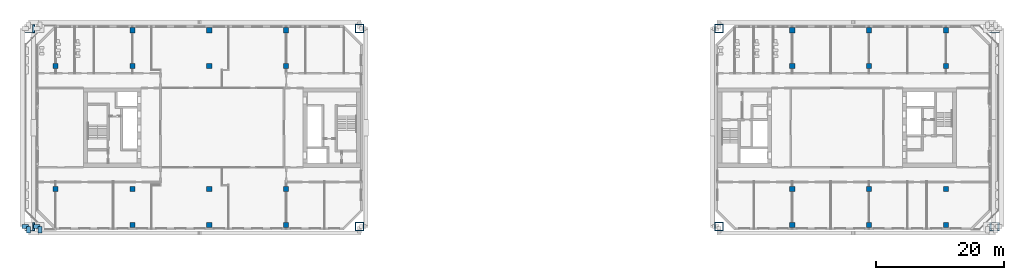
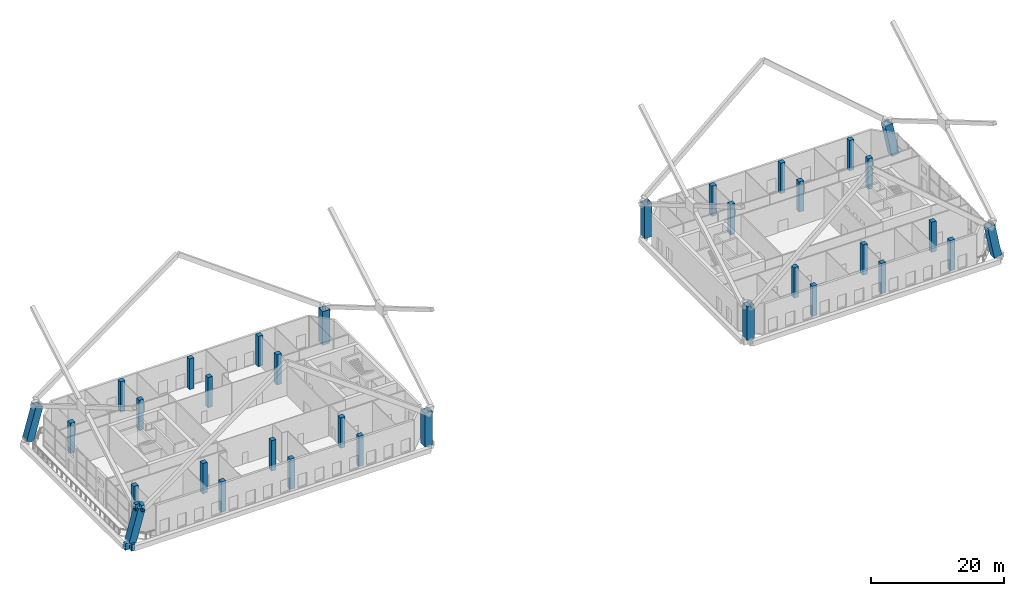
# One storey, part 1 of 20: 34 columns, 4 beams.
"""IFC4 building model written with IfcOpenShell, lengths in metres."""

from ifc_helpers import new_model, si_unit, direction, frame, origin, origin_2d, place, context, subcontext, project, spatial, rectangle, hollow_rectangle, extrude, material, material_profile, profile_set, type_object, element, save


model = new_model("IFC4")

# Units and contexts
model_context = context("Model", 3, precision=1e-05, world=origin(), true_north=direction((0.0, 1.0)))
body_context = subcontext(model_context, "Body", "Model", "MODEL_VIEW")
ifc_project = project(units=[si_unit("LENGTHUNIT", "METRE"), si_unit("AREAUNIT", "SQUARE_METRE"), si_unit("VOLUMEUNIT", "CUBIC_METRE"), si_unit("PLANEANGLEUNIT", "RADIAN"), si_unit("MASSUNIT", "GRAM", prefix="KILO")], contexts=[model_context])

# Site, building, storey
site_placement = place(None, origin())
site = spatial("IfcSite", under=ifc_project, at=site_placement, CompositionType="ELEMENT")
building_placement = place(site_placement, origin())
building = spatial("IfcBuilding", under=site, at=building_placement, Name="Tuart Gate Housing", CompositionType="ELEMENT")
storey_placement = place(building_placement, frame((0.0, 0.0, 90.199951171875)))
storey = spatial("IfcBuildingStorey", under=building, at=storey_placement, Name="L25", CompositionType="ELEMENT", Elevation=90.199951171875)

# Columns
ifc_material_1 = material(Name="Steel Grade 350", Category="steel")
ifc_material_profile_1 = material_profile(ifc_material_1, hollow_rectangle(XDim=1.300048828125, YDim=1.300048828125, WallThickness=0.070068359375, at=origin_2d()), Name="BOX 1300x1300x70")
ifc_profile_set_1 = profile_set([ifc_material_profile_1], Name="Steel Grade 350")
column_type_1 = type_object("IfcColumnType", Name="Mega column BOX 1300x1300x70 (6.1-6.2 m)", PredefinedType="COLUMN", material=ifc_profile_set_1)
column_1_placement = place(storey_placement, frame((23.849853515625, 54.550048828125, 0.1767578125), z_axis=(0.271662512341, 0.0, 0.962392580701), x_axis=(0.0, 1.0, 0.0)))
element("IfcColumn", 1, at=column_1_placement, inside=storey, type_object=column_type_1, Name="Mega column A south-west L25", PredefinedType="COLUMN", context=body_context, shape_type="SweptSolid", body=[
    extrude(hollow_rectangle(XDim=1.300048828125, YDim=1.300048828125, WallThickness=0.070068359375, at=origin_2d()), origin(), (0.0, 0.0, 1.0), 6.0751953125),
])
for number, where, z_axis, x_axis, name in (
    (2, (75.449951171875, 54.550048828125, 0.0), (0.0, 0.0, 1.0), (1.0, 0.0, 0.0), "Mega column A south-east L25"),
    (3, (75.449951171875, 85.449951171875, 0.0), (0.0, 0.0, 1.0), (1.0, 0.0, 0.0), "Mega column A north-east L25"),
):
    element("IfcColumn", number, at=place(storey_placement, frame(where, z_axis=z_axis, x_axis=x_axis)), inside=storey, type_object=column_type_1, Name=name, PredefinedType="COLUMN", context=body_context, shape_type="SweptSolid", body=[
        extrude(hollow_rectangle(XDim=1.300048828125, YDim=1.300048828125, WallThickness=0.070068359375, at=origin_2d()), origin(), (0.0, 0.0, 1.0), 6.199951171875),
    ])
column_2_placement = place(storey_placement, frame((23.849853515625, 85.449951171875, 0.1767578125), z_axis=(0.271662512341, 0.0, 0.962392580701), x_axis=(0.0, 1.0, 0.0)))
element("IfcColumn", 4, at=column_2_placement, inside=storey, type_object=column_type_1, Name="Mega column A north-west L25", PredefinedType="COLUMN", context=body_context, shape_type="SweptSolid", body=[
    extrude(hollow_rectangle(XDim=1.300048828125, YDim=1.300048828125, WallThickness=0.070068359375, at=origin_2d()), origin(), (0.0, 0.0, 1.0), 6.0751953125),
])
column_3_placement = place(storey_placement, frame((131.550048828125, 54.550048828125, 0.0), z_axis=(0.0, 0.0, 1.0), x_axis=(1.0, 0.0, 0.0)))
element("IfcColumn", 5, at=column_3_placement, inside=storey, type_object=column_type_1, Name="Mega column B south-west L25", PredefinedType="COLUMN", context=body_context, shape_type="SweptSolid", body=[
    extrude(hollow_rectangle(XDim=1.300048828125, YDim=1.300048828125, WallThickness=0.070068359375, at=origin_2d()), origin(), (0.0, 0.0, 1.0), 6.199951171875),
])
for number, where, z_axis, x_axis, name in (
    (6, (174.674072265625, 54.550048828125, 0.128662109375), (-0.197649285048, 0.0, 0.980272798827), (0.0, -1.0, 0.0), "Mega column B south-east L25"),
    (7, (174.674072265625, 85.449951171875, 0.128662109375), (-0.197649285048, 0.0, 0.980272798827), (0.0, -1.0, 0.0), "Mega column B north-east L25"),
):
    element("IfcColumn", number, at=place(storey_placement, frame(where, z_axis=z_axis, x_axis=x_axis)), inside=storey, type_object=column_type_1, Name=name, PredefinedType="COLUMN", context=body_context, shape_type="SweptSolid", body=[
        extrude(hollow_rectangle(XDim=1.300048828125, YDim=1.300048828125, WallThickness=0.070068359375, at=origin_2d()), origin(), (0.0, 0.0, 1.0), 6.0625),
    ])
column_4_placement = place(storey_placement, frame((131.550048828125, 85.449951171875, 0.0), z_axis=(0.0, 0.0, 1.0), x_axis=(1.0, 0.0, 0.0)))
element("IfcColumn", 8, at=column_4_placement, inside=storey, type_object=column_type_1, Name="Mega column B north-west L25", PredefinedType="COLUMN", context=body_context, shape_type="SweptSolid", body=[
    extrude(hollow_rectangle(XDim=1.300048828125, YDim=1.300048828125, WallThickness=0.070068359375, at=origin_2d()), origin(), (0.0, 0.0, 1.0), 6.199951171875),
])
ifc_material_2 = material(Name="Concrete C50", Category="concrete")
ifc_material_profile_2 = material_profile(ifc_material_2, rectangle(XDim=0.800048828125, YDim=0.800048828125, at=origin_2d()), Name="RC column 800 x 800 (5.6-6.7 m)")
ifc_profile_set_2 = profile_set([ifc_material_profile_2], Name="Concrete C50")
column_type_2 = type_object("IfcColumnType", Name="RC column 800 x 800 (5.6-6.7 m)", PredefinedType="COLUMN", material=ifc_profile_set_2)
for number, where, z_axis, x_axis, name in (
    (9, (28.0, 60.39990234375, 0.0), (0.0, 0.0, 1.0), (1.0, 0.0, 0.0), "RC column 4 L25"),
    (10, (28.0, 79.60009765625, 0.0), (0.0, 0.0, 1.0), (1.0, 0.0, 0.0), "RC column 5 L25"),
    (11, (40.0, 54.800048828125, 0.0), (0.0, 0.0, 1.0), (1.0, 0.0, 0.0), "RC column 9 L25"),
    (12, (40.0, 60.39990234375, 0.0), (0.0, 0.0, 1.0), (1.0, 0.0, 0.0), "RC column 12 L25"),
    (13, (40.0, 79.60009765625, 0.0), (0.0, 0.0, 1.0), (1.0, 0.0, 0.0), "RC column 13 L25"),
    (14, (40.0, 85.199951171875, 0.0), (0.0, 0.0, 1.0), (1.0, 0.0, 0.0), "RC column 16 L25"),
    (15, (52.0, 54.800048828125, 0.0), (0.0, 0.0, 1.0), (1.0, 0.0, 0.0), "RC column 17 L25"),
    (16, (52.0, 60.39990234375, 0.0), (0.0, 0.0, 1.0), (1.0, 0.0, 0.0), "RC column 18 L25"),
    (17, (52.0, 79.60009765625, 0.0), (0.0, 0.0, 1.0), (1.0, 0.0, 0.0), "RC column 19 L25"),
    (18, (52.0, 85.199951171875, 0.0), (0.0, 0.0, 1.0), (1.0, 0.0, 0.0), "RC column 20 L25"),
    (19, (64.0, 54.800048828125, 0.0), (0.0, 0.0, 1.0), (1.0, 0.0, 0.0), "RC column 21 L25"),
    (20, (64.0, 60.39990234375, 0.0), (0.0, 0.0, 1.0), (1.0, 0.0, 0.0), "RC column 22 L25"),
    (21, (64.0, 79.60009765625, 0.0), (0.0, 0.0, 1.0), (1.0, 0.0, 0.0), "RC column 23 L25"),
    (22, (64.0, 85.199951171875, 0.0), (0.0, 0.0, 1.0), (1.0, 0.0, 0.0), "RC column 24 L25"),
    (23, (143.0, 54.800048828125, 0.0), (0.0, 0.0, 1.0), (1.0, 0.0, 0.0), "RC column 25 L25"),
    (24, (143.0, 60.39990234375, 0.0), (0.0, 0.0, 1.0), (1.0, 0.0, 0.0), "RC column 26 L25"),
    (25, (143.0, 79.60009765625, 0.0), (0.0, 0.0, 1.0), (1.0, 0.0, 0.0), "RC column 27 L25"),
    (26, (143.0, 85.199951171875, 0.0), (0.0, 0.0, 1.0), (1.0, 0.0, 0.0), "RC column 28 L25"),
    (27, (155.0, 54.800048828125, 0.0), (0.0, 0.0, 1.0), (1.0, 0.0, 0.0), "RC column 29 L25"),
    (28, (155.0, 60.39990234375, 0.0), (0.0, 0.0, 1.0), (1.0, 0.0, 0.0), "RC column 30 L25"),
    (29, (155.0, 79.60009765625, 0.0), (0.0, 0.0, 1.0), (1.0, 0.0, 0.0), "RC column 31 L25"),
    (30, (155.0, 85.199951171875, 0.0), (0.0, 0.0, 1.0), (1.0, 0.0, 0.0), "RC column 32 L25"),
    (31, (167.0, 54.800048828125, 0.0), (0.0, 0.0, 1.0), (1.0, 0.0, 0.0), "RC column 33 L25"),
    (32, (167.0, 60.39990234375, 0.0), (0.0, 0.0, 1.0), (1.0, 0.0, 0.0), "RC column 36 L25"),
    (33, (167.0, 79.60009765625, 0.0), (0.0, 0.0, 1.0), (1.0, 0.0, 0.0), "RC column 37 L25"),
    (34, (167.0, 85.199951171875, 0.0), (0.0, 0.0, 1.0), (1.0, 0.0, 0.0), "RC column 40 L25"),
):
    element("IfcColumn", number, at=place(storey_placement, frame(where, z_axis=z_axis, x_axis=x_axis)), inside=storey, type_object=column_type_2, Name=name, PredefinedType="COLUMN", context=body_context, shape_type="SweptSolid", body=[
        extrude(rectangle(XDim=0.800048828125, YDim=0.800048828125, at=origin_2d()), origin(), (0.0, 0.0, 1.0), 5.60009765625),
    ])

# Beams
ifc_material_3 = material(Name="Steel Grade 350", Category="steel")
ifc_material_profile_3 = material_profile(ifc_material_3, hollow_rectangle(XDim=0.60009765625, YDim=1.199951171875, WallThickness=0.0400390625, at=origin_2d()), Name="BOX 1200x600x40")
ifc_profile_set_3 = profile_set([ifc_material_profile_3], Name="Steel Grade 350")
beam_type = type_object("IfcBeamType", Name="Brace shoe BOX 1200x600x40", PredefinedType="BEAM", material=ifc_profile_set_3)
for number, where, z_axis, x_axis, name in (
    (35, (23.800048828125, 54.550048828125, -0.39990234375), (0.0, -1.0, 0.0), (1.0, 0.0, 0.0), "Mega tie beam A node 3 south shoe 0 L25"),
    (36, (23.800048828125, 54.550048828125, -0.39990234375), (-1.0, 0.0, 0.0), (0.0, -1.0, 0.0), "Mega tie beam A node 3 west shoe 0 L25"),
    (37, (25.550048828125, 54.550048828125, 6.199951171875), (0.0, -1.0, 0.0), (1.0, 0.0, 0.0), "Mega brace shoe A zone 4 south chevron 1"),
    (38, (25.550048828125, 54.550048828125, 6.199951171875), (-1.0, 0.0, 0.0), (0.0, -1.0, 0.0), "Mega brace shoe A zone 4 west cross 1"),
):
    element("IfcBeam", number, at=place(storey_placement, frame(where, z_axis=z_axis, x_axis=x_axis)), inside=storey, type_object=beam_type, Name=name, PredefinedType="BEAM", context=body_context, shape_type="SweptSolid", body=[
        extrude(hollow_rectangle(XDim=0.60009765625, YDim=1.199951171875, WallThickness=0.0400390625, at=origin_2d()), origin(), (0.0, 0.0, 1.0), 1.0),
    ])

save(model, "model.ifc")
